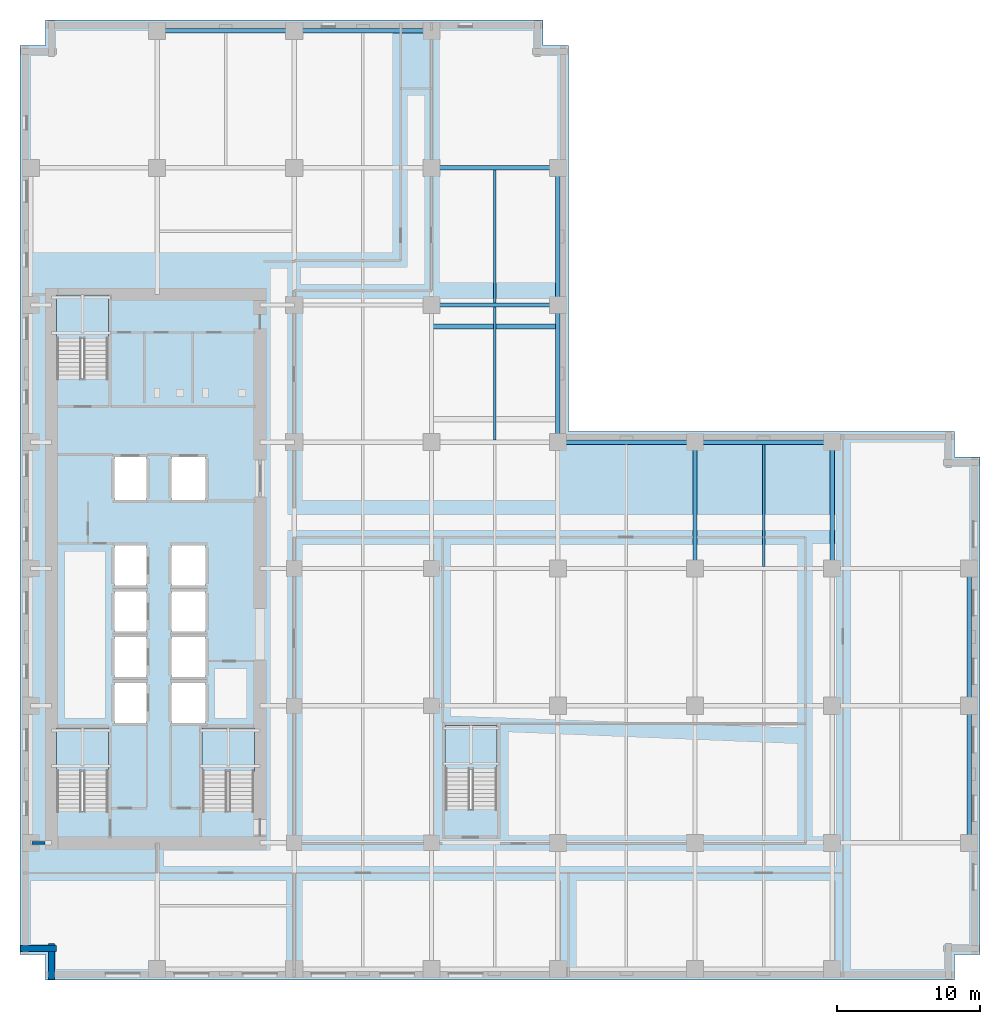
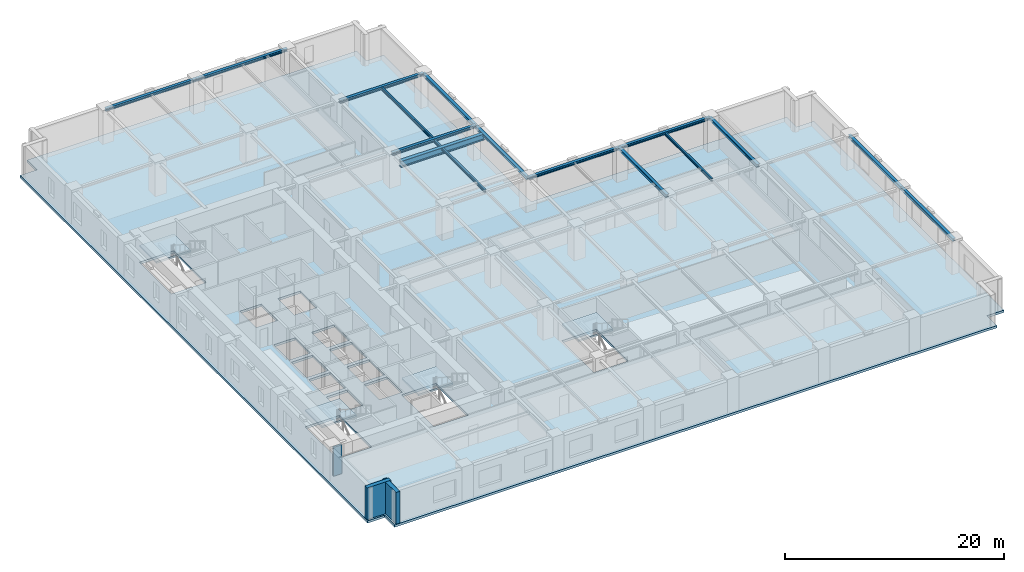
# One storey, part 3 of 13: 16 beams, 5 slabs, 3 walls, 4 elements without a shape of their own.
"""IFC4 building model written with IfcOpenShell, lengths in metres."""

from ifc_helpers import new_model, si_unit, direction, frame, frame_2d, origin, origin_2d, place, context, subcontext, project, spatial, polyline, rectangle, i_section, outline, extrude, material, layer, layer_set, material_profile, profile_set, type_object, element, aggregate, save


model = new_model("IFC4")

# Units and contexts
model_context = context("Model", 3, precision=1e-05, world=origin(), true_north=direction((0.0, 1.0)))
body_context = subcontext(model_context, "Body", "Model", "MODEL_VIEW")
ifc_project = project(units=[si_unit("LENGTHUNIT", "METRE"), si_unit("AREAUNIT", "SQUARE_METRE"), si_unit("VOLUMEUNIT", "CUBIC_METRE"), si_unit("PLANEANGLEUNIT", "RADIAN"), si_unit("MASSUNIT", "GRAM", prefix="KILO")], contexts=[model_context])

# Site, building, storey
site_placement = place(None, origin())
site = spatial("IfcSite", under=ifc_project, at=site_placement, CompositionType="ELEMENT")
building_placement = place(site_placement, origin())
building = spatial("IfcBuilding", under=site, at=building_placement, Name="Norrvale University Quadrangle", CompositionType="ELEMENT")
storey_placement = place(building_placement, frame((0.0, 0.0, 54.60009765625)))
storey = spatial("IfcBuildingStorey", under=building, at=storey_placement, Name="L13", CompositionType="ELEMENT", Elevation=54.60009765625)

# Beams
ifc_material_1 = material(Name="Steel 350W", Category="steel")
ifc_material_profile_1 = material_profile(ifc_material_1, i_section(OverallWidth=0.35498046875, OverallDepth=0.695068359375, WebThickness=0.015380859375, FlangeThickness=0.02490234375, FilletRadius=0.01806640625, at=origin_2d()), Name="Steel 350W")
ifc_profile_set_1 = profile_set([ifc_material_profile_1], Name="Steel 350W")
beam_type_1 = type_object("IfcBeamType", Name="Beam Belt W690x217", PredefinedType="BEAM", material=ifc_profile_set_1)
beam_1_placement = place(storey_placement, frame((28.800048828125, 45.75, 3.15234375), z_axis=(1.0, 0.0, 0.0), x_axis=(0.0, 1.0, 0.0)))
element("IfcBeam", 1, at=beam_1_placement, inside=storey, type_object=beam_type_1, Name="Sky Garden Loggia Edge Girder L14-2", PredefinedType="BEAM", context=body_context, shape_type="SweptSolid", body=[
    extrude(i_section(OverallWidth=0.35498046875, OverallDepth=0.695068359375, WebThickness=0.015380859375, FlangeThickness=0.02490234375, FilletRadius=0.01806640625, at=origin_2d()), origin(), (0.0, 0.0, 1.0), 8.849853515625),
])
ifc_material_profile_2 = material_profile(ifc_material_1, i_section(OverallWidth=0.1669921875, OverallDepth=0.31689453125, WebThickness=0.007568359375, FlangeThickness=0.01318359375, FilletRadius=0.010009765625, at=origin_2d()), Name="Steel 350W")
ifc_profile_set_2 = profile_set([ifc_material_profile_2], Name="Steel 350W")
beam_type_2 = type_object("IfcBeamType", Name="Beam Canopy Purlin W310x52", PredefinedType="USERDEFINED", material=ifc_profile_set_2)
for number, where, z_axis, x_axis, name in (
    (2, (33.22509765625, 37.802490234375, 3.34130859375), (0.0, 1.0, 0.0), (-1.0, 0.0, 0.0), "Beam Canopy Purlin W310x52 BM-L13-J090"),
    (3, (33.22509765625, 47.402587890625, 3.38134765625), (0.0, 1.0, 0.0), (-1.0, 0.0, 0.0), "Beam Canopy Purlin W310x52 BM-L13-J091"),
):
    element("IfcBeam", number, at=place(storey_placement, frame(where, z_axis=z_axis, x_axis=x_axis)), inside=storey, type_object=beam_type_2, Name=name, ObjectType="PURLIN", PredefinedType="USERDEFINED", context=body_context, shape_type="SweptSolid", body=[
        extrude(i_section(OverallWidth=0.1669921875, OverallDepth=0.31689453125, WebThickness=0.007568359375, FlangeThickness=0.01318359375, FilletRadius=0.010009765625, at=origin_2d()), origin(), (0.0, 0.0, 1.0), 9.294921875),
    ])
beam_2_placement = place(storey_placement, frame((52.050048828125, 28.952392578125, 3.38134765625), z_axis=(0.0, 1.0, 0.0), x_axis=(-1.0, 0.0, 0.0)))
element("IfcBeam", 4, at=beam_2_placement, inside=storey, type_object=beam_type_2, Name="Beam Canopy Purlin W310x52 BM-L13-J099", ObjectType="PURLIN", PredefinedType="USERDEFINED", context=body_context, shape_type="SweptSolid", body=[
    extrude(i_section(OverallWidth=0.1669921875, OverallDepth=0.31689453125, WebThickness=0.007568359375, FlangeThickness=0.01318359375, FilletRadius=0.010009765625, at=origin_2d()), origin(), (0.0, 0.0, 1.0), 8.545166015625),
])
ifc_material_profile_3 = material_profile(ifc_material_1, i_section(OverallWidth=0.304931640625, OverallDepth=0.30810546875, WebThickness=0.010009765625, FlangeThickness=0.015380859375, FilletRadius=0.014892578125, at=origin_2d()), Name="Steel 350W")
ifc_profile_set_3 = profile_set([ifc_material_profile_3], Name="Steel 350W")
beam_type_3 = type_object("IfcBeamType", Name="Beam Canopy W310x97", PredefinedType="BEAM", material=ifc_profile_set_3)
for number, where, z_axis, x_axis, name in (
    (5, (37.64990234375, 37.64990234375, 3.385986328125), (1.0, 0.0, 0.0), (0.0, 1.0, 0.0), "Beam Canopy W310x97 BM-L13-GX023"),
    (6, (47.25, 37.64990234375, 3.385986328125), (1.0, 0.0, 0.0), (0.0, 1.0, 0.0), "Beam Canopy W310x97 BM-L13-GX024"),
):
    element("IfcBeam", number, at=place(storey_placement, frame(where, z_axis=z_axis, x_axis=x_axis)), inside=storey, type_object=beam_type_3, Name=name, PredefinedType="BEAM", context=body_context, shape_type="SweptSolid", body=[
        extrude(i_section(OverallWidth=0.304931640625, OverallDepth=0.30810546875, WebThickness=0.010009765625, FlangeThickness=0.015380859375, FilletRadius=0.014892578125, at=origin_2d()), origin(), (0.0, 0.0, 1.0), 9.60009765625),
    ])
for number, where, z_axis, x_axis, name in (
    (7, (28.800048828125, 47.25, 3.385986328125), (1.0, 0.0, 0.0), (0.0, 1.0, 0.0), "Beam Canopy W310x97 BM-L13-GX026"),
    (8, (28.800048828125, 56.85009765625, 3.385986328125), (1.0, 0.0, 0.0), (0.0, 1.0, 0.0), "Beam Canopy W310x97 BM-L13-GX030"),
):
    element("IfcBeam", number, at=place(storey_placement, frame(where, z_axis=z_axis, x_axis=x_axis)), inside=storey, type_object=beam_type_3, Name=name, PredefinedType="BEAM", context=body_context, shape_type="SweptSolid", body=[
        extrude(i_section(OverallWidth=0.304931640625, OverallDepth=0.30810546875, WebThickness=0.010009765625, FlangeThickness=0.015380859375, FilletRadius=0.014892578125, at=origin_2d()), origin(), (0.0, 0.0, 1.0), 8.849853515625),
    ])
beam_3_placement = place(storey_placement, frame((9.60009765625, 66.449951171875, 3.385986328125), z_axis=(1.0, 0.0, 0.0), x_axis=(0.0, 1.0, 0.0)))
element("IfcBeam", 9, at=beam_3_placement, inside=storey, type_object=beam_type_3, Name="Beam Canopy W310x97 BM-L13-GX031", PredefinedType="BEAM", context=body_context, shape_type="SweptSolid", body=[
    extrude(i_section(OverallWidth=0.304931640625, OverallDepth=0.30810546875, WebThickness=0.010009765625, FlangeThickness=0.015380859375, FilletRadius=0.014892578125, at=origin_2d()), origin(), (0.0, 0.0, 1.0), 9.599853515625),
])
for number, where, z_axis, x_axis, name in (
    (10, (19.199951171875, 66.449951171875, 3.385986328125), (1.0, 0.0, 0.0), (0.0, 1.0, 0.0), "Beam Canopy W310x97 BM-L13-GX032"),
    (11, (37.64990234375, 37.64990234375, 3.345947265625), (0.0, 1.0, 0.0), (-1.0, 0.0, 0.0), "Beam Canopy W310x97 BM-L13-GY057"),
    (12, (37.64990234375, 47.25, 3.385986328125), (0.0, 1.0, 0.0), (-1.0, 0.0, 0.0), "Beam Canopy W310x97 BM-L13-GY058"),
):
    element("IfcBeam", number, at=place(storey_placement, frame(where, z_axis=z_axis, x_axis=x_axis)), inside=storey, type_object=beam_type_3, Name=name, PredefinedType="BEAM", context=body_context, shape_type="SweptSolid", body=[
        extrude(i_section(OverallWidth=0.304931640625, OverallDepth=0.30810546875, WebThickness=0.010009765625, FlangeThickness=0.015380859375, FilletRadius=0.014892578125, at=origin_2d()), origin(), (0.0, 0.0, 1.0), 9.60009765625),
    ])
for number, where, z_axis, x_axis, name in (
    (13, (47.25, 28.800048828125, 3.385986328125), (0.0, 1.0, 0.0), (-1.0, 0.0, 0.0), "Beam Canopy W310x97 BM-L13-GY062"),
    (14, (56.85009765625, 28.800048828125, 3.385986328125), (0.0, 1.0, 0.0), (-1.0, 0.0, 0.0), "Beam Canopy W310x97 BM-L13-GY066"),
):
    element("IfcBeam", number, at=place(storey_placement, frame(where, z_axis=z_axis, x_axis=x_axis)), inside=storey, type_object=beam_type_3, Name=name, PredefinedType="BEAM", context=body_context, shape_type="SweptSolid", body=[
        extrude(i_section(OverallWidth=0.304931640625, OverallDepth=0.30810546875, WebThickness=0.010009765625, FlangeThickness=0.015380859375, FilletRadius=0.014892578125, at=origin_2d()), origin(), (0.0, 0.0, 1.0), 8.849853515625),
    ])
beam_4_placement = place(storey_placement, frame((66.449951171875, 9.60009765625, 3.385986328125), z_axis=(0.0, 1.0, 0.0), x_axis=(-1.0, 0.0, 0.0)))
element("IfcBeam", 15, at=beam_4_placement, inside=storey, type_object=beam_type_3, Name="Beam Canopy W310x97 BM-L13-GY067", PredefinedType="BEAM", context=body_context, shape_type="SweptSolid", body=[
    extrude(i_section(OverallWidth=0.304931640625, OverallDepth=0.30810546875, WebThickness=0.010009765625, FlangeThickness=0.015380859375, FilletRadius=0.014892578125, at=origin_2d()), origin(), (0.0, 0.0, 1.0), 9.599853515625),
])
beam_5_placement = place(storey_placement, frame((66.449951171875, 19.199951171875, 3.385986328125), z_axis=(0.0, 1.0, 0.0), x_axis=(-1.0, 0.0, 0.0)))
element("IfcBeam", 16, at=beam_5_placement, inside=storey, type_object=beam_type_3, Name="Beam Canopy W310x97 BM-L13-GY068", PredefinedType="BEAM", context=body_context, shape_type="SweptSolid", body=[
    extrude(i_section(OverallWidth=0.304931640625, OverallDepth=0.30810546875, WebThickness=0.010009765625, FlangeThickness=0.015380859375, FilletRadius=0.014892578125, at=origin_2d()), origin(), (0.0, 0.0, 1.0), 9.60009765625),
])

# Stair, slab
ifc_material_2 = material(Name="Concrete C40/50", Category="concrete")
stair_type = type_object("IfcStairType", Name="Stair Tower Typ 3800", PredefinedType="TWO_STRAIGHT_RUN_STAIR", material=ifc_material_2)
stair_1_placement = place(storey_placement, origin())
stair_1 = element("IfcStair", 17, at=stair_1_placement, inside=storey, type_object=stair_type, Name="Exit Stair ST-01 L13", PredefinedType="TWO_STRAIGHT_RUN_STAIR")
ifc_layer_1 = layer(ifc_material_2, 0.199951171875, Name="Concrete C40/50")
ifc_layer_set_1 = layer_set([ifc_layer_1], Name="Concrete C40/50")
slab_type_1 = type_object("IfcSlabType", Name="Slab Landing 200", PredefinedType="LANDING", material=ifc_layer_set_1)
slab_1_placement = place(storey_placement, frame((0.0, 0.0, 1.699951171875)))
slab_1 = element("IfcSlab", 18, at=slab_1_placement, type_object=slab_type_1, Name="Exit Stair ST-01 L13 Mid Landing", PredefinedType="LANDING", context=body_context, shape_type="SweptSolid", body=[
    extrude(outline(polyline([(2.550048828125, 14.590087890625), (6.199951171875, 14.590087890625), (6.199951171875, 17.64990234375), (2.550048828125, 17.64990234375), (2.550048828125, 14.590087890625)])), origin(), (0.0, 0.0, 1.0), 0.199951171875),
])
aggregate(stair_1, [slab_1])

stair_2_placement = place(storey_placement, origin())
stair_2 = element("IfcStair", 19, at=stair_2_placement, inside=storey, type_object=stair_type, Name="Exit Stair ST-02 L13", PredefinedType="TWO_STRAIGHT_RUN_STAIR")
slab_2_placement = place(storey_placement, frame((0.0, 0.0, 1.699951171875)))
slab_2 = element("IfcSlab", 20, at=slab_2_placement, type_object=slab_type_1, Name="Exit Stair ST-02 L13 Mid Landing", PredefinedType="LANDING", context=body_context, shape_type="SweptSolid", body=[
    extrude(outline(polyline([(2.550048828125, 44.889892578125), (6.199951171875, 44.889892578125), (6.199951171875, 47.949951171875), (2.550048828125, 47.949951171875), (2.550048828125, 44.889892578125)])), origin(), (0.0, 0.0, 1.0), 0.199951171875),
])
aggregate(stair_2, [slab_2])

stair_3_placement = place(storey_placement, origin())
stair_3 = element("IfcStair", 21, at=stair_3_placement, inside=storey, type_object=stair_type, Name="Exit Stair ST-03 L13", PredefinedType="TWO_STRAIGHT_RUN_STAIR")
slab_3_placement = place(storey_placement, frame((0.0, 0.0, 1.699951171875)))
slab_3 = element("IfcSlab", 22, at=slab_3_placement, type_object=slab_type_1, Name="Exit Stair ST-03 L13 Mid Landing", PredefinedType="LANDING", context=body_context, shape_type="SweptSolid", body=[
    extrude(outline(polyline([(12.75, 14.590087890625), (16.39990234375, 14.590087890625), (16.39990234375, 17.64990234375), (12.75, 17.64990234375), (12.75, 14.590087890625)])), origin(), (0.0, 0.0, 1.0), 0.199951171875),
])
aggregate(stair_3, [slab_3])

stair_4_placement = place(storey_placement, origin())
stair_4 = element("IfcStair", 23, at=stair_4_placement, inside=storey, type_object=stair_type, Name="Exit Stair ST-04 L13", PredefinedType="TWO_STRAIGHT_RUN_STAIR")
slab_4_placement = place(storey_placement, frame((0.0, 0.0, 1.699951171875)))
slab_4 = element("IfcSlab", 24, at=slab_4_placement, type_object=slab_type_1, Name="Exit Stair ST-04 L13 Mid Landing", PredefinedType="LANDING", context=body_context, shape_type="SweptSolid", body=[
    extrude(outline(polyline([(29.75, 14.739990234375), (33.39990234375, 14.739990234375), (33.39990234375, 17.800048828125), (29.75, 17.800048828125), (29.75, 14.739990234375)])), origin(), (0.0, 0.0, 1.0), 0.199951171875),
])
aggregate(stair_4, [slab_4])

# Slab
ifc_layer_2 = layer(ifc_material_2, 0.260009765625, Name="Concrete C40/50")
ifc_layer_set_2 = layer_set([ifc_layer_2], Name="Concrete C40/50")
slab_type_2 = type_object("IfcSlabType", Name="Slab Tower Typ 260", PredefinedType="FLOOR", material=ifc_layer_set_2)
slab_5_placement = place(storey_placement, frame((0.0, 0.0, -0.260009765625)))
element("IfcSlab", 25, at=slab_5_placement, inside=storey, type_object=slab_type_2, Name="Tower L13 Floor Slab", PredefinedType="FLOOR", context=body_context, shape_type="SweptSolid", body=[
    extrude(outline(polyline([(1.800048828125, 0.0), (65.39990234375, 0.0), (65.39990234375, 1.800048828125), (67.199951171875, 1.800048828125), (67.199951171875, 36.60009765625), (65.39990234375, 36.60009765625), (65.39990234375, 38.39990234375), (38.39990234375, 38.39990234375), (38.39990234375, 65.39990234375), (36.60009765625, 65.39990234375), (36.60009765625, 67.199951171875), (1.800048828125, 67.199951171875), (1.800048828125, 65.39990234375), (0.0, 65.39990234375), (0.0, 1.800048828125), (1.800048828125, 1.800048828125), (1.800048828125, 0.0)]), holes=[polyline([(2.550048828125, 11.81005859375), (6.199951171875, 11.81005859375), (6.199951171875, 17.64990234375), (2.550048828125, 17.64990234375), (2.550048828125, 11.81005859375)]), polyline([(2.550048828125, 42.110107421875), (6.199951171875, 42.110107421875), (6.199951171875, 47.949951171875), (2.550048828125, 47.949951171875), (2.550048828125, 42.110107421875)]), polyline([(12.75, 11.81005859375), (16.39990234375, 11.81005859375), (16.39990234375, 17.64990234375), (12.75, 17.64990234375), (12.75, 11.81005859375)]), polyline([(29.75, 11.9599609375), (33.39990234375, 11.9599609375), (33.39990234375, 17.800048828125), (29.75, 17.800048828125), (29.75, 11.9599609375)]), polyline([(6.60009765625, 18.0), (8.85009765625, 18.0), (8.85009765625, 20.800048828125), (6.60009765625, 20.800048828125), (6.60009765625, 18.0)]), polyline([(6.60009765625, 21.199951171875), (8.85009765625, 21.199951171875), (8.85009765625, 24.0), (6.60009765625, 24.0), (6.60009765625, 21.199951171875)]), polyline([(6.60009765625, 24.39990234375), (8.85009765625, 24.39990234375), (8.85009765625, 27.199951171875), (6.60009765625, 27.199951171875), (6.60009765625, 24.39990234375)]), polyline([(6.60009765625, 27.60009765625), (8.85009765625, 27.60009765625), (8.85009765625, 30.39990234375), (6.60009765625, 30.39990234375), (6.60009765625, 27.60009765625)]), polyline([(10.60009765625, 18.0), (13.0, 18.0), (13.0, 20.800048828125), (10.60009765625, 20.800048828125), (10.60009765625, 18.0)]), polyline([(10.60009765625, 21.199951171875), (13.0, 21.199951171875), (13.0, 24.0), (10.60009765625, 24.0), (10.60009765625, 21.199951171875)]), polyline([(10.60009765625, 24.39990234375), (13.0, 24.39990234375), (13.0, 27.199951171875), (10.60009765625, 27.199951171875), (10.60009765625, 24.39990234375)]), polyline([(10.60009765625, 27.60009765625), (13.0, 27.60009765625), (13.0, 30.39990234375), (10.60009765625, 30.39990234375), (10.60009765625, 27.60009765625)]), polyline([(6.60009765625, 33.60009765625), (8.85009765625, 33.60009765625), (8.85009765625, 36.60009765625), (6.60009765625, 36.60009765625), (6.60009765625, 33.60009765625)]), polyline([(10.60009765625, 33.60009765625), (13.0, 33.60009765625), (13.0, 36.60009765625), (10.60009765625, 36.60009765625), (10.60009765625, 33.60009765625)])]), origin(), (0.0, 0.0, 1.0), 0.260009765625),
])

# Walls
ifc_material_3 = material(Name="Buff Norman Clay Brick Masonry", Category="masonry")
ifc_layer_3 = layer(ifc_material_3, 0.419921875, Name="Buff Norman Clay Brick Masonry")
ifc_layer_set_3 = layer_set([ifc_layer_3], Name="Buff Norman Clay Brick Masonry")
wall_type_1 = type_object("IfcWallType", Name="Wall Buff Brick 420", PredefinedType="SOLIDWALL", material=ifc_layer_set_3)
for number, where, z_axis, x_axis, name in (
    (26, (0.0400390625, 2.18994140625, 0.0), (0.0, 0.0, 1.0), (1.0, 0.0, 0.0), "Exterior Brick Facade Wall L13-15.1"),
    (27, (2.18994140625, 2.5400390625, 0.0), (0.0, 0.0, 1.0), (0.0, -1.0, 0.0), "Exterior Brick Facade Wall L13-16.1"),
):
    element("IfcWall", number, at=place(storey_placement, frame(where, z_axis=z_axis, x_axis=x_axis)), inside=storey, type_object=wall_type_1, Name=name, PredefinedType="SOLIDWALL", context=body_context, shape_type="SweptSolid", body=[
        extrude(rectangle(XDim=2.5, YDim=0.419921875, at=frame_2d((1.25, 0.0))), origin(), (0.0, 0.0, 1.0), 3.539794921875),
    ])
ifc_material_4 = material(Name="Concrete Blockwork 20 MPa Rated Wall", Category="masonry")
ifc_layer_4 = layer(ifc_material_4, 0.199951171875, Name="Concrete Blockwork 20 MPa Rated Wall")
ifc_layer_set_4 = layer_set([ifc_layer_4], Name="Concrete Blockwork 20 MPa Rated Wall")
wall_type_2 = type_object("IfcWallType", Name="Wall Lobby 200", PredefinedType="SOLIDWALL", material=ifc_layer_set_4)
wall_placement = place(storey_placement, frame((0.85009765625, 9.60009765625, 0.0), z_axis=(0.0, 0.0, 1.0), x_axis=(1.0, 0.0, 0.0)))
element("IfcWall", 28, at=wall_placement, inside=storey, type_object=wall_type_2, Name="Interior Partition WL-L13-CWRET-S", PredefinedType="SOLIDWALL", context=body_context, shape_type="SweptSolid", body=[
    extrude(rectangle(XDim=0.89501953125, YDim=0.199951171875, at=frame_2d((0.447509765625, 0.0))), origin(), (0.0, 0.0, 1.0), 3.23193359375),
])

save(model, "model.ifc")
